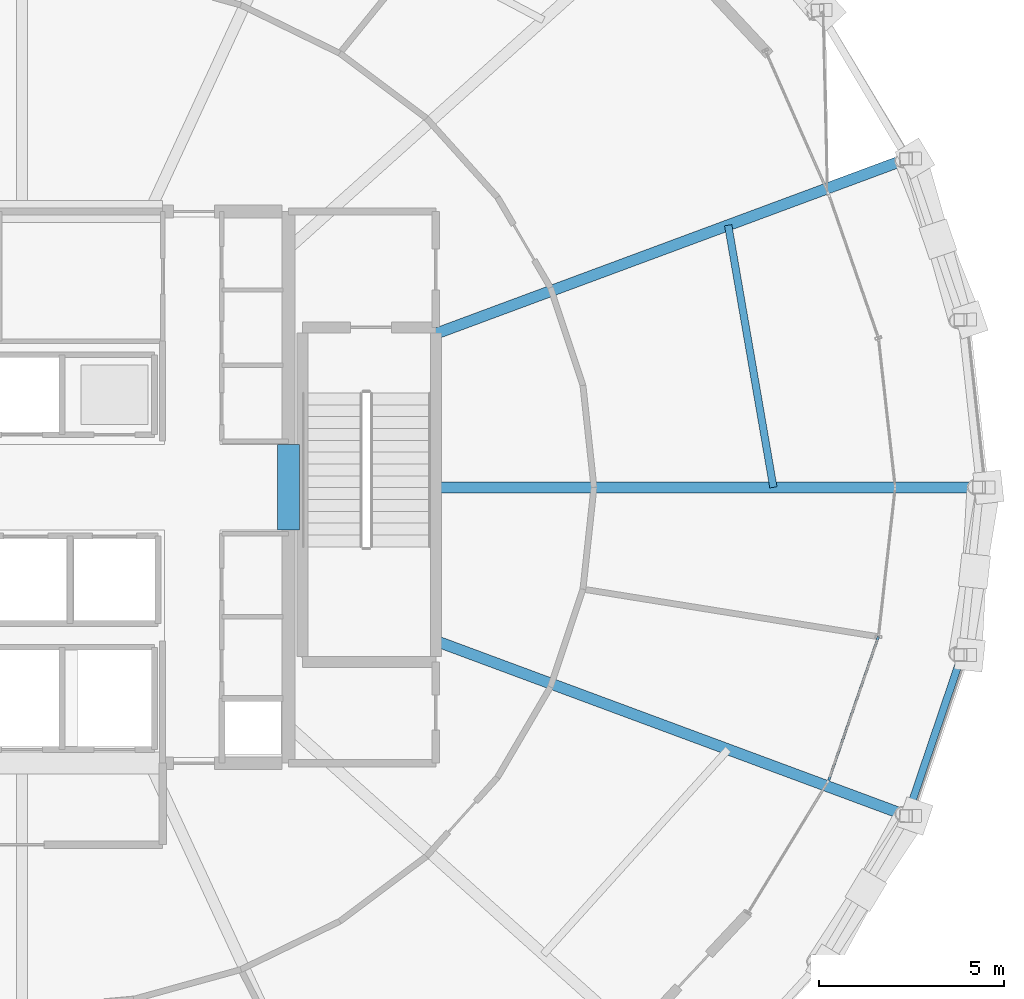
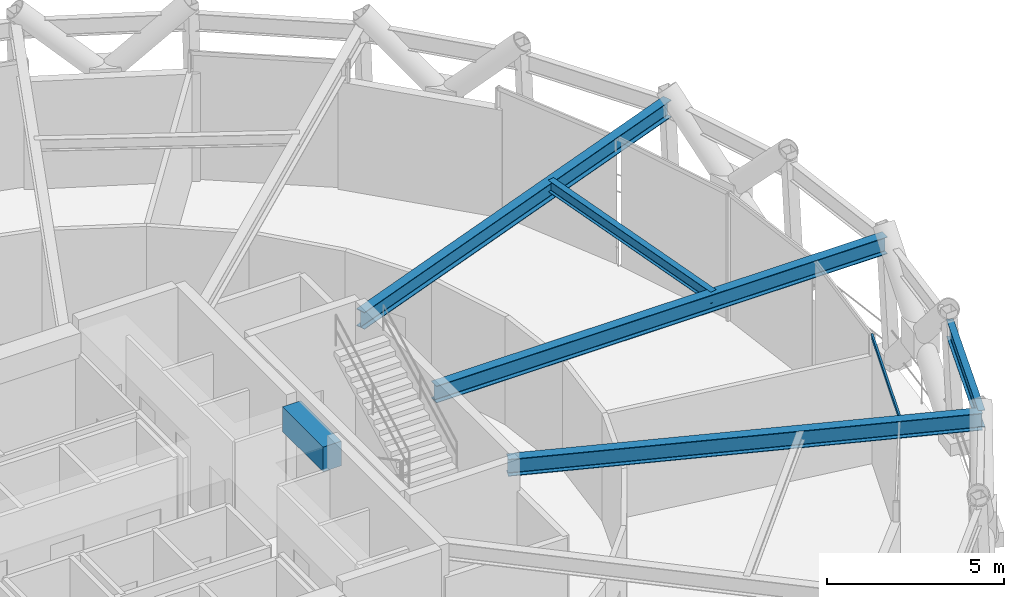
# One storey, part 13 of 29: 6 beams, 1 member, 1 element without a shape of its own.
"""IFC4 building model written with IfcOpenShell, lengths in metres."""

import ifcopenshell
import ifcopenshell.guid

model = None  # the IFC model being written
_history = None  # IfcOwnerHistory: only IFC2X3 demands one
_inside = {}  # id of a spatial element -> (the spatial element, [elements in it])
_under = {}  # id of a project, library or spatial element -> (it, [spatial elements below it])
_declared = {}  # id of a project -> (the project, [libraries it declares])
_typed = {}  # id of a type object -> (the type object, [elements of that type])
_made_of = {}  # id of a material, layer set ... -> (it, [elements and type objects made of it])


def new_model(schema):
    """Start an empty IFC model of exactly this schema.

    Asked for "IFC4X3", IfcOpenShell would pick the latest addendum, in which some entities
    have other attributes; the version numbers below select the first issue.
    IFC2X3 requires an IfcOwnerHistory on every rooted entity: one is made here for all.
    """
    global model, _history
    if schema == "IFC4X3":
        model = ifcopenshell.file(schema_version=(4, 3, 0, 0))
    else:
        model = ifcopenshell.file(schema=schema)
    _inside.clear()
    _under.clear()
    _declared.clear()
    _typed.clear()
    _made_of.clear()
    _history = None
    if model.schema == "IFC2X3":
        org = make("IfcOrganization", Name="unknown")
        user = make(
            "IfcPersonAndOrganization",
            ThePerson=make("IfcPerson", FamilyName="unknown"),
            TheOrganization=org,
        )
        app = make(
            "IfcApplication",
            ApplicationDeveloper=org,
            Version="unknown",
            ApplicationFullName="unknown",
            ApplicationIdentifier="unknown",
        )
        _history = make(
            "IfcOwnerHistory",
            OwningUser=user,
            OwningApplication=app,
            ChangeAction="ADDED",
            CreationDate=0,
        )
    return model


def make(cls, **values):
    """One entity of the class cls with the attributes given. An attribute that is None is left unset."""
    return model.create_entity(
        cls, **{name: value for name, value in values.items() if value is not None}
    )


def rooted(cls, **values):
    """An entity with a GlobalId (a new one), such as an element, a storey or a relation."""
    return make(cls, GlobalId=ifcopenshell.guid.new(), OwnerHistory=_history, **values)


def si_unit(unit_type, name, prefix=None):
    """IfcSIUnit, for example si_unit("LENGTHUNIT", "METRE", prefix="MILLI")."""
    return make("IfcSIUnit", UnitType=unit_type, Prefix=prefix, Name=name)


def assignment(units):
    """IfcUnitAssignment: the units of a project."""
    return None if units is None else make("IfcUnitAssignment", Units=units)


def point(xyz):
    """IfcCartesianPoint."""
    return None if xyz is None else make("IfcCartesianPoint", Coordinates=xyz)


def direction(xyz):
    """IfcDirection."""
    return None if xyz is None else make("IfcDirection", DirectionRatios=xyz)


def frame(location, z_axis=None, x_axis=None):
    """IfcAxis2Placement3D, a coordinate frame: its origin and axes. An axis left out is left unset."""
    return make(
        "IfcAxis2Placement3D",
        Location=point(location),
        Axis=direction(z_axis),
        RefDirection=direction(x_axis),
    )


def frame_2d(location, x_axis=None):
    """IfcAxis2Placement2D, a coordinate frame in the plane: its origin and x axis."""
    return make(
        "IfcAxis2Placement2D", Location=point(location), RefDirection=direction(x_axis)
    )


def origin():
    """The frame at (0, 0, 0) with its axes left unset."""
    return frame((0.0, 0.0, 0.0))


def origin_2d():
    """The frame at (0, 0) in the plane with its x axis left unset."""
    return frame_2d((0.0, 0.0))


def place(relative_to, where):
    """IfcLocalPlacement: puts the frame where relative to a parent placement (None: the world)."""
    return make(
        "IfcLocalPlacement", PlacementRelTo=relative_to, RelativePlacement=where
    )


def context(
    kind, dimensions, precision=None, world=None, true_north=None, identifier=None
):
    """IfcGeometricRepresentationContext, for example the 3D "Model" context."""
    return make(
        "IfcGeometricRepresentationContext",
        ContextIdentifier=identifier,
        ContextType=kind,
        CoordinateSpaceDimension=dimensions,
        Precision=precision,
        WorldCoordinateSystem=world,
        TrueNorth=true_north,
    )


def subcontext(parent, identifier, kind, view, scale=None):
    """IfcGeometricRepresentationSubContext, for example "Body" below "Model"."""
    return make(
        "IfcGeometricRepresentationSubContext",
        ContextIdentifier=identifier,
        ContextType=kind,
        ParentContext=parent,
        TargetScale=scale,
        TargetView=view,
    )


def project(units=None, contexts=None):
    """IfcProject with its units and contexts."""
    return rooted(
        "IfcProject",
        Name="project",
        RepresentationContexts=contexts,
        UnitsInContext=assignment(units),
    )


def spatial(cls, under=None, at=None, **own):
    """A site, building, storey or space (cls), placed at a placement, below another one or the project."""
    s = rooted(cls, ObjectPlacement=at, **own)
    if under is not None:
        _under.setdefault(under.id(), (under, []))[1].append(s)
    return s


def profile(cls, at=None, kind="AREA", **sizes):
    """A parametric profile (cls). Its sizes go by their IFC names, for example OverallWidth=200.0."""
    return make(cls, ProfileType=kind, Position=at, **sizes)


def rectangle(**sizes):
    """IfcRectangleProfileDef."""
    return profile("IfcRectangleProfileDef", **sizes)


def hollow_rectangle(**sizes):
    """IfcRectangleHollowProfileDef."""
    return profile("IfcRectangleHollowProfileDef", **sizes)


def i_section(**sizes):
    """IfcIShapeProfileDef."""
    return profile("IfcIShapeProfileDef", **sizes)


def extrude(swept, where, along, depth):
    """IfcExtrudedAreaSolid: the profile swept, set in the frame where, extruded along a direction by depth."""
    return make(
        "IfcExtrudedAreaSolid",
        SweptArea=swept,
        Position=where,
        ExtrudedDirection=direction(along),
        Depth=depth,
    )


def shape(context_of_items, identifier, shape_type, items):
    """IfcShapeRepresentation: the items that make up one representation, for example the "Body"."""
    return make(
        "IfcShapeRepresentation",
        ContextOfItems=context_of_items,
        RepresentationIdentifier=identifier,
        RepresentationType=shape_type,
        Items=items,
    )


def material(Name=None, Category=None):
    """IfcMaterial."""
    return make("IfcMaterial", Name=Name, Category=Category)


def layer(
    of_material, thickness, ventilated=None, Name=None, Category=None, Priority=None
):
    """IfcMaterialLayer: one layer of a wall or slab, of a material (None: an air gap)."""
    return make(
        "IfcMaterialLayer",
        Material=of_material,
        LayerThickness=thickness,
        IsVentilated=ventilated,
        Name=Name,
        Category=Category,
        Priority=Priority,
    )


def layer_set(layers, Name=None):
    """IfcMaterialLayerSet."""
    return make("IfcMaterialLayerSet", MaterialLayers=layers, LayerSetName=Name)


def material_profile(
    of_material, cross_section, Name=None, Category=None, Priority=None
):
    """IfcMaterialProfile: a cross section and its material."""
    return make(
        "IfcMaterialProfile",
        Name=Name,
        Material=of_material,
        Profile=cross_section,
        Priority=Priority,
        Category=Category,
    )


def profile_set(profiles, Name=None, composite=None):
    """IfcMaterialProfileSet."""
    return make(
        "IfcMaterialProfileSet",
        Name=Name,
        MaterialProfiles=profiles,
        CompositeProfile=composite,
    )


def made_of(thing, what):
    """Note that an element or type object is made of a material, layer set ...; save() writes the relation."""
    if what is not None:
        _made_of.setdefault(what.id(), (what, []))[1].append(thing)
    return thing


def type_object(cls, material=None, **own):
    """A type object (cls), such as IfcWallType, which elements share."""
    return made_of(rooted(cls, **own), material)


def element(
    cls,
    number,
    at=None,
    inside=None,
    cuts=None,
    type_object=None,
    material=None,
    context=None,
    identifier="Body",
    shape_type=None,
    held_by="IfcProductDefinitionShape",
    body=None,
    shapes=None,
    **own,
):
    """One element of the class cls, such as IfcWall. Its Tag is "e" and its number.

    at: its placement. inside: the storey or other place that contains it. cuts: it is an
    opening in that element (IfcRelVoidsElement). A single representation is given by context,
    identifier, shape_type and body (its items); several are given by shapes. held_by: the class
    of the entity that holds the representations. save() writes the other relations.
    """
    e = rooted(cls, Tag="e%d" % number, ObjectPlacement=at, **own)
    if body is not None:
        shapes = [shape(context, identifier, shape_type, body)]
    if shapes is not None:
        e.Representation = make(held_by, Representations=shapes)
    if inside is not None:
        _inside.setdefault(inside.id(), (inside, []))[1].append(e)
    if cuts is not None:
        rooted(
            "IfcRelVoidsElement", RelatingBuildingElement=cuts, RelatedOpeningElement=e
        )
    if type_object is not None:
        _typed.setdefault(type_object.id(), (type_object, []))[1].append(e)
    return made_of(e, material)


def aggregate(whole, parts):
    """IfcRelAggregates: a whole, such as a stair, and the parts it consists of."""
    return rooted("IfcRelAggregates", RelatingObject=whole, RelatedObjects=parts)


def save(model, path):
    """Write the relations noted so far, then the file.

    IfcRelAggregates (storeys below a building ...), IfcRelContainedInSpatialStructure (elements
    in a storey), IfcRelDefinesByType, IfcRelAssociatesMaterial and IfcRelDeclares: one each for
    every whole, place, type object, material and project.
    """
    for whole, parts in _under.values():
        aggregate(whole, parts)
    for where, things in _inside.values():
        rooted(
            "IfcRelContainedInSpatialStructure",
            RelatedElements=things,
            RelatingStructure=where,
        )
    for kind, things in _typed.values():
        rooted("IfcRelDefinesByType", RelatedObjects=things, RelatingType=kind)
    for what, things in _made_of.values():
        rooted("IfcRelAssociatesMaterial", RelatedObjects=things, RelatingMaterial=what)
    for by, libraries in _declared.values():
        rooted("IfcRelDeclares", RelatingContext=by, RelatedDefinitions=libraries)
    model.write(path)


model = new_model("IFC4")

# Units and contexts
model_context = context("Model", 3, precision=1e-05, world=origin(), true_north=direction((0.0, 1.0)))
body_context = subcontext(model_context, "Body", "Model", "MODEL_VIEW")
ifc_project = project(units=[si_unit("LENGTHUNIT", "METRE"), si_unit("AREAUNIT", "SQUARE_METRE"), si_unit("VOLUMEUNIT", "CUBIC_METRE"), si_unit("PLANEANGLEUNIT", "RADIAN"), si_unit("MASSUNIT", "GRAM", prefix="KILO")], contexts=[model_context])

# Site, building, storey
site_placement = place(None, origin())
site = spatial("IfcSite", under=ifc_project, at=site_placement, CompositionType="ELEMENT")
building_placement = place(site_placement, origin())
building = spatial("IfcBuilding", under=site, at=building_placement, Name="Veldorina Hangang Commons", CompositionType="ELEMENT")
storey_placement = place(building_placement, frame((0.0, 0.0, 203.60009765625)))
storey = spatial("IfcBuildingStorey", under=building, at=storey_placement, Name="L53", CompositionType="ELEMENT", Elevation=203.60009765625)

# Beams
ifc_material_1 = material(Name="Concrete C60/75", Category="concrete")
ifc_material_profile_1 = material_profile(ifc_material_1, rectangle(XDim=0.60009765625, YDim=0.85009765625, at=origin_2d()), Name="RC-CB-600x850")
ifc_profile_set_1 = profile_set([ifc_material_profile_1], Name="Concrete C60/75")
beam_type_1 = type_object("IfcBeamType", Name="BM-CB850", PredefinedType="LINTEL", material=ifc_profile_set_1)
beam_1_placement = place(storey_placement, frame((39.199951171875, 22.85009765625, 4.014892578125), z_axis=(0.0, 1.0, 0.0), x_axis=(-1.0, 0.0, 0.0)))
element("IfcBeam", 1, at=beam_1_placement, inside=storey, type_object=beam_type_1, Name="L53 E core coupling lintel beam", PredefinedType="LINTEL", context=body_context, shape_type="SweptSolid", body=[
    extrude(rectangle(XDim=0.60009765625, YDim=0.85009765625, at=origin_2d()), origin(), (0.0, 0.0, 1.0), 2.2998046875),
])
ifc_material_2 = material(Name="Steel SM460-TMC", Category="steel")
ifc_material_profile_2 = material_profile(ifc_material_2, i_section(OverallWidth=0.300048828125, OverallDepth=0.587890625, WebThickness=0.011962890625, FlangeThickness=0.02001953125, FilletRadius=0.01806640625, at=origin_2d()), Name="H-588x300x12x20")
ifc_profile_set_2 = profile_set([ifc_material_profile_2], Name="Steel SM460-TMC")
beam_type_2 = type_object("IfcBeamType", Name="BM-FG588", PredefinedType="BEAM", material=ifc_profile_set_2)
beam_2_placement = place(storey_placement, frame((43.179931640625, 24.0, 4.14599609375), z_axis=(1.0, 0.0, 0.0), x_axis=(0.0, 1.0, 0.0)))
element("IfcBeam", 2, at=beam_2_placement, inside=storey, type_object=beam_type_2, Name="L53 radial floor girder 01", PredefinedType="BEAM", context=body_context, shape_type="SweptSolid", body=[
    extrude(i_section(OverallWidth=0.300048828125, OverallDepth=0.587890625, WebThickness=0.011962890625, FlangeThickness=0.02001953125, FilletRadius=0.01806640625, at=origin_2d()), origin(), (0.0, 0.0, 1.0), 14.70458984375),
])
for number, where, z_axis, x_axis, name in (
    (3, (43.179931640625, 28.1494140625, 4.14599609375), (0.937515253418, 0.347944175994, 0.0), (-0.347944175994, 0.937515253418, 0.0), "L53 radial floor girder 02"),
    (4, (43.179931640625, 19.8505859375, 4.14599609375), (0.937515253418, -0.347944175994, 0.0), (0.347944175994, 0.937515253418, 0.0), "L53 radial floor girder 16"),
):
    element("IfcBeam", number, at=place(storey_placement, frame(where, z_axis=z_axis, x_axis=x_axis)), inside=storey, type_object=beam_type_2, Name=name, PredefinedType="BEAM", context=body_context, shape_type="SweptSolid", body=[
        extrude(i_section(OverallWidth=0.300048828125, OverallDepth=0.587890625, WebThickness=0.011962890625, FlangeThickness=0.02001953125, FilletRadius=0.01806640625, at=origin_2d()), origin(), (0.0, 0.0, 1.0), 13.582763671875),
    ])
ifc_material_3 = material(Name="Steel SM355-TMC", Category="steel")
ifc_material_profile_3 = material_profile(ifc_material_3, i_section(OverallWidth=0.199951171875, OverallDepth=0.39990234375, WebThickness=0.008056640625, FlangeThickness=0.012939453125, FilletRadius=0.012939453125, at=origin_2d()), Name="H-400x200x8x13")
ifc_profile_set_3 = profile_set([ifc_material_profile_3], Name="Steel SM355-TMC")
beam_type_3 = type_object("IfcBeamType", Name="BM-JST400", PredefinedType="JOIST", material=ifc_profile_set_3)
beam_3_placement = place(storey_placement, frame((52.296875, 24.0, 4.239990234375), z_axis=(-0.170050302032, 0.98543538336, 0.0), x_axis=(-0.98543538336, -0.170050302032, 0.0)))
element("IfcBeam", 5, at=beam_3_placement, inside=storey, type_object=beam_type_3, Name="L53 secondary floor joist 01", PredefinedType="JOIST", context=body_context, shape_type="SweptSolid", body=[
    extrude(i_section(OverallWidth=0.199951171875, OverallDepth=0.39990234375, WebThickness=0.008056640625, FlangeThickness=0.012939453125, FilletRadius=0.012939453125, at=origin_2d()), origin(), (0.0, 0.0, 1.0), 7.184326171875),
])
ifc_material_4 = material(Name="Steel SM420-TMC", Category="steel")
ifc_material_profile_4 = material_profile(ifc_material_4, i_section(OverallWidth=0.199951171875, OverallDepth=0.60009765625, WebThickness=0.010986328125, FlangeThickness=0.01708984375, FilletRadius=0.01806640625, at=origin_2d()), Name="H-600x200x11x17")
ifc_profile_set_4 = profile_set([ifc_material_profile_4], Name="Steel SM420-TMC")
beam_type_4 = type_object("IfcBeamType", Name="BM-RB600", PredefinedType="BEAM", material=ifc_profile_set_4)
beam_4_placement = place(storey_placement, frame((55.9140625, 15.12451171875, 4.139892578125), z_axis=(0.320704751369, 0.947179213481, 0.0), x_axis=(-0.947179213481, 0.320704751369, 0.0)))
element("IfcBeam", 6, at=beam_4_placement, inside=storey, type_object=beam_type_4, Name="L53 perimeter hoop ring beam 30", PredefinedType="BEAM", context=body_context, shape_type="SweptSolid", body=[
    extrude(i_section(OverallWidth=0.199951171875, OverallDepth=0.60009765625, WebThickness=0.010986328125, FlangeThickness=0.01708984375, FilletRadius=0.01806640625, at=origin_2d()), origin(), (0.0, 0.0, 1.0), 4.593505859375),
])

# Curtain wall, member
ifc_material_5 = material(Name="Glass Acoustic Laminated", Category="glass")
ifc_layer = layer(ifc_material_5, 0.179931640625)
ifc_layer_set = layer_set([ifc_layer], Name="Glass Acoustic Laminated")
curtain_wall_type = type_object("IfcCurtainWallType", Name="CW-SYS-SKY", PredefinedType="NOTDEFINED", material=ifc_layer_set)
curtain_wall_placement = place(storey_placement, origin())
curtain_wall = element("IfcCurtainWall", 7, at=curtain_wall_placement, inside=storey, type_object=curtain_wall_type, Name="L53 unitised curtain wall CW-L53-R12", PredefinedType="NOTDEFINED")
ifc_material_6 = material(Name="Aluminium Anodized AA6063-T6", Category="aluminium")
ifc_material_profile_5 = material_profile(ifc_material_6, hollow_rectangle(XDim=0.06005859375, YDim=0.139892578125, WallThickness=0.00341796875, at=origin_2d()), Name="ALU-RHS-140x60x3.5")
ifc_profile_set_5 = profile_set([ifc_material_profile_5], Name="Aluminium Anodized AA6063-T6")
member_type = type_object("IfcMemberType", Name="CW-TRN-140", PredefinedType="USERDEFINED", material=ifc_profile_set_5)
member_placement = place(storey_placement, frame((53.790771484375, 16.0849609375, 4.35986328125), z_axis=(0.326894051951, 0.945060992105, 0.0), x_axis=(-0.945060992105, 0.326894051951, 0.0)))
member = element("IfcMember", 8, at=member_placement, type_object=member_type, Name="CW-L53-R12 facet 2 transom 1", ObjectType="TRANSOM", PredefinedType="USERDEFINED", context=body_context, shape_type="SweptSolid", body=[
    extrude(hollow_rectangle(XDim=0.06005859375, YDim=0.139892578125, WallThickness=0.00341796875, at=origin_2d()), origin(), (0.0, 0.0, 1.0), 4.10546875),
])
aggregate(curtain_wall, [member])

save(model, "model.ifc")
